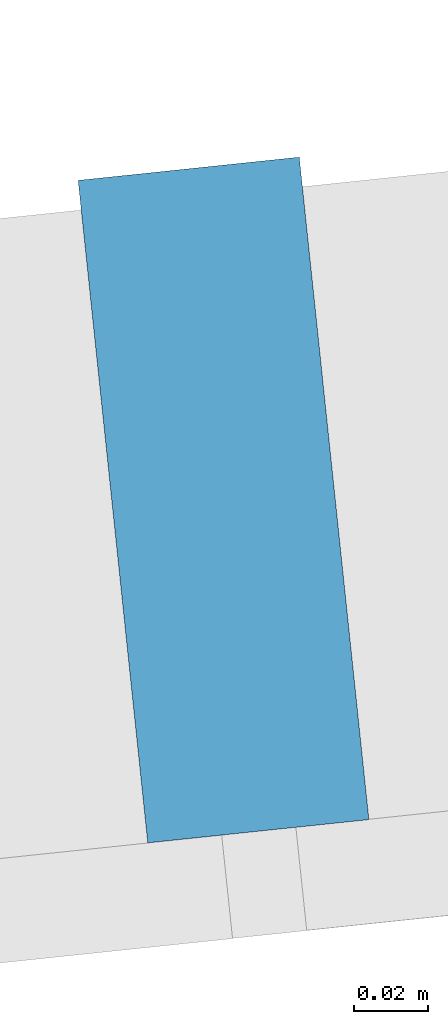
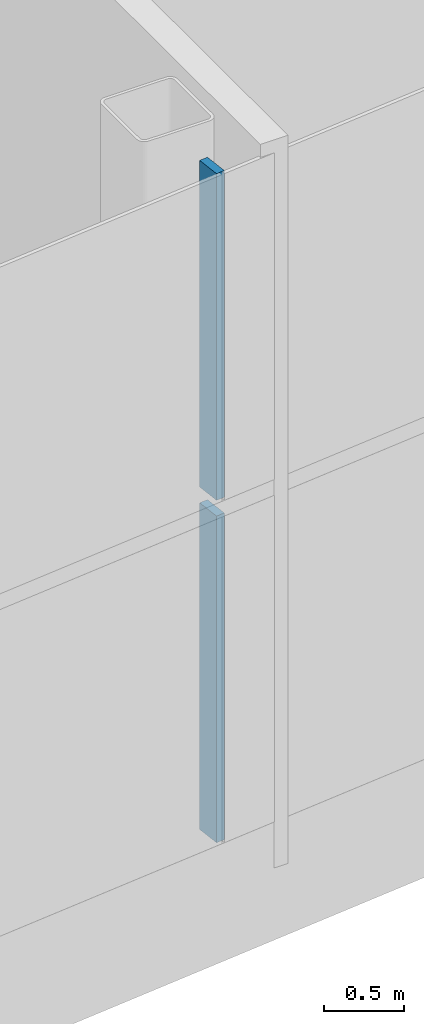
# One storey, part 5 of 35: 2 members, 1 element without a shape of its own.
"""IFC4 building model written with IfcOpenShell, lengths in metres."""

from ifc_helpers import new_model, si_unit, direction, frame, origin, origin_2d, place, context, subcontext, project, spatial, rectangle, extrude, material, layer, layer_set, material_profile, profile_set, type_object, element, aggregate, save


model = new_model("IFC4")

# Units and contexts
model_context = context("Model", 3, precision=1e-05, world=origin(), true_north=direction((0.0, 1.0)))
body_context = subcontext(model_context, "Body", "Model", "MODEL_VIEW")
ifc_project = project(units=[si_unit("LENGTHUNIT", "METRE"), si_unit("AREAUNIT", "SQUARE_METRE"), si_unit("VOLUMEUNIT", "CUBIC_METRE"), si_unit("PLANEANGLEUNIT", "RADIAN"), si_unit("MASSUNIT", "GRAM", prefix="KILO")], contexts=[model_context])

# Site, building, storey
site_placement = place(None, origin())
site = spatial("IfcSite", under=ifc_project, at=site_placement, CompositionType="ELEMENT")
building_placement = place(site_placement, origin())
building = spatial("IfcBuilding", under=site, at=building_placement, Name="Hakoniwa Tower and Hamabe Station Hall", CompositionType="ELEMENT")
storey_placement = place(building_placement, frame((0.0, 0.0, 264.60009765625)))
storey = spatial("IfcBuildingStorey", under=building, at=storey_placement, Name="L75", CompositionType="ELEMENT", Elevation=264.60009765625)

# Curtain wall, members
ifc_material_1 = material(Name="Dark low-e laminated glass", Category="glass")
ifc_layer = layer(ifc_material_1, 0.199951171875)
ifc_layer_set = layer_set([ifc_layer], Name="CW-1 UNITISED GUEST")
curtain_wall_type = type_object("IfcCurtainWallType", Name="CW-1 UNITISED GUEST", PredefinedType="NOTDEFINED", material=ifc_layer_set)
curtain_wall_placement = place(storey_placement, origin())
curtain_wall = element("IfcCurtainWall", 1, at=curtain_wall_placement, inside=storey, type_object=curtain_wall_type, Name="CW-1 curtain wall", PredefinedType="NOTDEFINED")
ifc_material_2 = material(Name="Aluminium 6063-T5 black anodised", Category="aluminium")
ifc_material_profile = material_profile(ifc_material_2, rectangle(XDim=0.06005859375, YDim=0.179931640625, at=origin_2d()), Name="CW-1 MULLION 60X180")
ifc_profile_set = profile_set([ifc_material_profile], Name="Aluminium 6063-T5 black anodised")
member_type = type_object("IfcMemberType", Name="CW-1 MULLION 60X180", PredefinedType="MULLION", material=ifc_profile_set)
member_1_placement = place(storey_placement, frame((1.7958984375, -14.587890625, 0.349853515625), z_axis=(0.0, 0.0, 1.0), x_axis=(0.994521895272, 0.104528464188, 0.0)))
member_1 = element("IfcMember", 2, at=member_1_placement, type_object=member_type, Name="CW-1 mullion", PredefinedType="MULLION", context=body_context, shape_type="SweptSolid", body=[
    extrude(rectangle(XDim=0.06005859375, YDim=0.179931640625, at=origin_2d()), origin(), (0.0, 0.0, 1.0), 2.489990234375),
])
member_2_placement = place(storey_placement, frame((1.7958984375, -14.587890625, 2.9599609375), z_axis=(0.0, 0.0, 1.0), x_axis=(0.994521895272, 0.104528464188, 0.0)))
member_2 = element("IfcMember", 3, at=member_2_placement, type_object=member_type, Name="CW-1 mullion", PredefinedType="MULLION", context=body_context, shape_type="SweptSolid", body=[
    extrude(rectangle(XDim=0.06005859375, YDim=0.179931640625, at=origin_2d()), origin(), (0.0, 0.0, 1.0), 2.489990234375),
])
aggregate(curtain_wall, [member_1, member_2])

save(model, "model.ifc")
